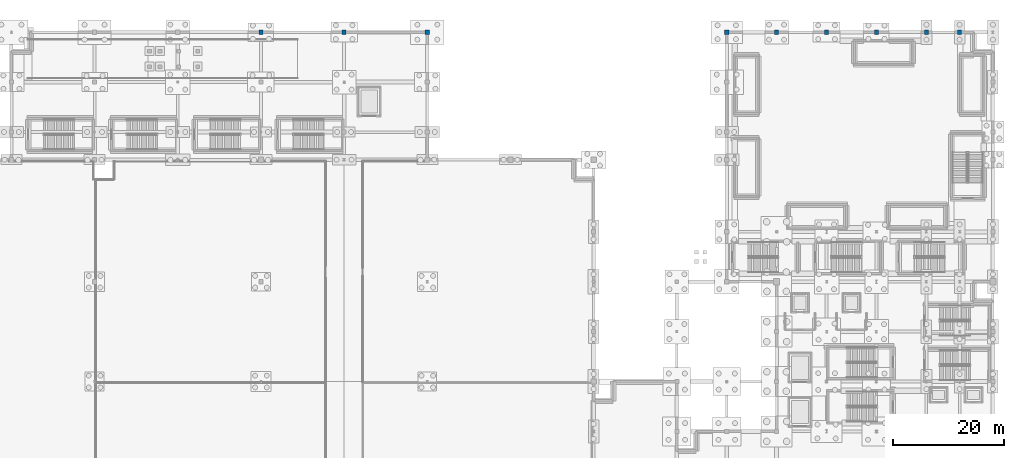
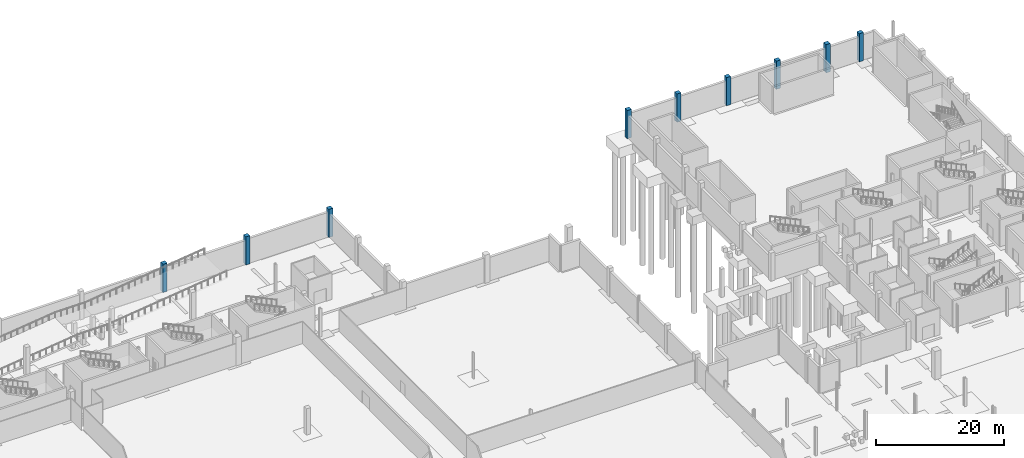
# One storey, part 35 of 58: 9 columns.
"""IFC4 building model written with IfcOpenShell, lengths in metres."""

import ifcopenshell
import ifcopenshell.guid

model = None  # the IFC model being written
_history = None  # IfcOwnerHistory: only IFC2X3 demands one
_inside = {}  # id of a spatial element -> (the spatial element, [elements in it])
_under = {}  # id of a project, library or spatial element -> (it, [spatial elements below it])
_declared = {}  # id of a project -> (the project, [libraries it declares])
_typed = {}  # id of a type object -> (the type object, [elements of that type])
_made_of = {}  # id of a material, layer set ... -> (it, [elements and type objects made of it])


def new_model(schema):
    """Start an empty IFC model of exactly this schema.

    Asked for "IFC4X3", IfcOpenShell would pick the latest addendum, in which some entities
    have other attributes; the version numbers below select the first issue.
    IFC2X3 requires an IfcOwnerHistory on every rooted entity: one is made here for all.
    """
    global model, _history
    if schema == "IFC4X3":
        model = ifcopenshell.file(schema_version=(4, 3, 0, 0))
    else:
        model = ifcopenshell.file(schema=schema)
    _inside.clear()
    _under.clear()
    _declared.clear()
    _typed.clear()
    _made_of.clear()
    _history = None
    if model.schema == "IFC2X3":
        org = make("IfcOrganization", Name="unknown")
        user = make(
            "IfcPersonAndOrganization",
            ThePerson=make("IfcPerson", FamilyName="unknown"),
            TheOrganization=org,
        )
        app = make(
            "IfcApplication",
            ApplicationDeveloper=org,
            Version="unknown",
            ApplicationFullName="unknown",
            ApplicationIdentifier="unknown",
        )
        _history = make(
            "IfcOwnerHistory",
            OwningUser=user,
            OwningApplication=app,
            ChangeAction="ADDED",
            CreationDate=0,
        )
    return model


def make(cls, **values):
    """One entity of the class cls with the attributes given. An attribute that is None is left unset."""
    return model.create_entity(
        cls, **{name: value for name, value in values.items() if value is not None}
    )


def rooted(cls, **values):
    """An entity with a GlobalId (a new one), such as an element, a storey or a relation."""
    return make(cls, GlobalId=ifcopenshell.guid.new(), OwnerHistory=_history, **values)


def si_unit(unit_type, name, prefix=None):
    """IfcSIUnit, for example si_unit("LENGTHUNIT", "METRE", prefix="MILLI")."""
    return make("IfcSIUnit", UnitType=unit_type, Prefix=prefix, Name=name)


def assignment(units):
    """IfcUnitAssignment: the units of a project."""
    return None if units is None else make("IfcUnitAssignment", Units=units)


def point(xyz):
    """IfcCartesianPoint."""
    return None if xyz is None else make("IfcCartesianPoint", Coordinates=xyz)


def direction(xyz):
    """IfcDirection."""
    return None if xyz is None else make("IfcDirection", DirectionRatios=xyz)


def frame(location, z_axis=None, x_axis=None):
    """IfcAxis2Placement3D, a coordinate frame: its origin and axes. An axis left out is left unset."""
    return make(
        "IfcAxis2Placement3D",
        Location=point(location),
        Axis=direction(z_axis),
        RefDirection=direction(x_axis),
    )


def frame_2d(location, x_axis=None):
    """IfcAxis2Placement2D, a coordinate frame in the plane: its origin and x axis."""
    return make(
        "IfcAxis2Placement2D", Location=point(location), RefDirection=direction(x_axis)
    )


def origin():
    """The frame at (0, 0, 0) with its axes left unset."""
    return frame((0.0, 0.0, 0.0))


def origin_2d():
    """The frame at (0, 0) in the plane with its x axis left unset."""
    return frame_2d((0.0, 0.0))


def place(relative_to, where):
    """IfcLocalPlacement: puts the frame where relative to a parent placement (None: the world)."""
    return make(
        "IfcLocalPlacement", PlacementRelTo=relative_to, RelativePlacement=where
    )


def context(
    kind, dimensions, precision=None, world=None, true_north=None, identifier=None
):
    """IfcGeometricRepresentationContext, for example the 3D "Model" context."""
    return make(
        "IfcGeometricRepresentationContext",
        ContextIdentifier=identifier,
        ContextType=kind,
        CoordinateSpaceDimension=dimensions,
        Precision=precision,
        WorldCoordinateSystem=world,
        TrueNorth=true_north,
    )


def subcontext(parent, identifier, kind, view, scale=None):
    """IfcGeometricRepresentationSubContext, for example "Body" below "Model"."""
    return make(
        "IfcGeometricRepresentationSubContext",
        ContextIdentifier=identifier,
        ContextType=kind,
        ParentContext=parent,
        TargetScale=scale,
        TargetView=view,
    )


def project(units=None, contexts=None):
    """IfcProject with its units and contexts."""
    return rooted(
        "IfcProject",
        Name="project",
        RepresentationContexts=contexts,
        UnitsInContext=assignment(units),
    )


def spatial(cls, under=None, at=None, **own):
    """A site, building, storey or space (cls), placed at a placement, below another one or the project."""
    s = rooted(cls, ObjectPlacement=at, **own)
    if under is not None:
        _under.setdefault(under.id(), (under, []))[1].append(s)
    return s


def profile(cls, at=None, kind="AREA", **sizes):
    """A parametric profile (cls). Its sizes go by their IFC names, for example OverallWidth=200.0."""
    return make(cls, ProfileType=kind, Position=at, **sizes)


def rectangle(**sizes):
    """IfcRectangleProfileDef."""
    return profile("IfcRectangleProfileDef", **sizes)


def extrude(swept, where, along, depth):
    """IfcExtrudedAreaSolid: the profile swept, set in the frame where, extruded along a direction by depth."""
    return make(
        "IfcExtrudedAreaSolid",
        SweptArea=swept,
        Position=where,
        ExtrudedDirection=direction(along),
        Depth=depth,
    )


def shape(context_of_items, identifier, shape_type, items):
    """IfcShapeRepresentation: the items that make up one representation, for example the "Body"."""
    return make(
        "IfcShapeRepresentation",
        ContextOfItems=context_of_items,
        RepresentationIdentifier=identifier,
        RepresentationType=shape_type,
        Items=items,
    )


def material(Name=None, Category=None):
    """IfcMaterial."""
    return make("IfcMaterial", Name=Name, Category=Category)


def material_profile(
    of_material, cross_section, Name=None, Category=None, Priority=None
):
    """IfcMaterialProfile: a cross section and its material."""
    return make(
        "IfcMaterialProfile",
        Name=Name,
        Material=of_material,
        Profile=cross_section,
        Priority=Priority,
        Category=Category,
    )


def profile_set(profiles, Name=None, composite=None):
    """IfcMaterialProfileSet."""
    return make(
        "IfcMaterialProfileSet",
        Name=Name,
        MaterialProfiles=profiles,
        CompositeProfile=composite,
    )


def made_of(thing, what):
    """Note that an element or type object is made of a material, layer set ...; save() writes the relation."""
    if what is not None:
        _made_of.setdefault(what.id(), (what, []))[1].append(thing)
    return thing


def type_object(cls, material=None, **own):
    """A type object (cls), such as IfcWallType, which elements share."""
    return made_of(rooted(cls, **own), material)


def element(
    cls,
    number,
    at=None,
    inside=None,
    cuts=None,
    type_object=None,
    material=None,
    context=None,
    identifier="Body",
    shape_type=None,
    held_by="IfcProductDefinitionShape",
    body=None,
    shapes=None,
    **own,
):
    """One element of the class cls, such as IfcWall. Its Tag is "e" and its number.

    at: its placement. inside: the storey or other place that contains it. cuts: it is an
    opening in that element (IfcRelVoidsElement). A single representation is given by context,
    identifier, shape_type and body (its items); several are given by shapes. held_by: the class
    of the entity that holds the representations. save() writes the other relations.
    """
    e = rooted(cls, Tag="e%d" % number, ObjectPlacement=at, **own)
    if body is not None:
        shapes = [shape(context, identifier, shape_type, body)]
    if shapes is not None:
        e.Representation = make(held_by, Representations=shapes)
    if inside is not None:
        _inside.setdefault(inside.id(), (inside, []))[1].append(e)
    if cuts is not None:
        rooted(
            "IfcRelVoidsElement", RelatingBuildingElement=cuts, RelatedOpeningElement=e
        )
    if type_object is not None:
        _typed.setdefault(type_object.id(), (type_object, []))[1].append(e)
    return made_of(e, material)


def aggregate(whole, parts):
    """IfcRelAggregates: a whole, such as a stair, and the parts it consists of."""
    return rooted("IfcRelAggregates", RelatingObject=whole, RelatedObjects=parts)


def save(model, path):
    """Write the relations noted so far, then the file.

    IfcRelAggregates (storeys below a building ...), IfcRelContainedInSpatialStructure (elements
    in a storey), IfcRelDefinesByType, IfcRelAssociatesMaterial and IfcRelDeclares: one each for
    every whole, place, type object, material and project.
    """
    for whole, parts in _under.values():
        aggregate(whole, parts)
    for where, things in _inside.values():
        rooted(
            "IfcRelContainedInSpatialStructure",
            RelatedElements=things,
            RelatingStructure=where,
        )
    for kind, things in _typed.values():
        rooted("IfcRelDefinesByType", RelatedObjects=things, RelatingType=kind)
    for what, things in _made_of.values():
        rooted("IfcRelAssociatesMaterial", RelatedObjects=things, RelatingMaterial=what)
    for by, libraries in _declared.values():
        rooted("IfcRelDeclares", RelatingContext=by, RelatedDefinitions=libraries)
    model.write(path)


model = new_model("IFC4")

# Units and contexts
model_context = context("Model", 3, precision=1e-05, world=origin(), true_north=direction((0.0, 1.0)))
body_context = subcontext(model_context, "Body", "Model", "MODEL_VIEW")
ifc_project = project(units=[si_unit("LENGTHUNIT", "METRE"), si_unit("AREAUNIT", "SQUARE_METRE"), si_unit("VOLUMEUNIT", "CUBIC_METRE"), si_unit("PLANEANGLEUNIT", "RADIAN"), si_unit("MASSUNIT", "GRAM", prefix="KILO")], contexts=[model_context])

# Site, building, storey
site_placement = place(None, origin())
site = spatial("IfcSite", under=ifc_project, at=site_placement, CompositionType="ELEMENT")
building_placement = place(site_placement, origin())
building = spatial("IfcBuilding", under=site, at=building_placement, Name="Qamarlyn Nura Convention Centre", CompositionType="ELEMENT")
storey_placement = place(building_placement, frame((0.0, 0.0, -5.39990234375)))
storey = spatial("IfcBuildingStorey", under=building, at=storey_placement, Name="B01", CompositionType="ELEMENT", Elevation=-5.39990234375)

# Columns
ifc_material = material(Name="Concrete C50/60", Category="concrete")
ifc_material_profile = material_profile(ifc_material, rectangle(XDim=0.75, YDim=0.75, at=origin_2d()), Name="RC 750x750")
ifc_profile_set = profile_set([ifc_material_profile], Name="Concrete C50/60")
column_type = type_object("IfcColumnType", Name="COL-SUB-2", PredefinedType="COLUMN", material=ifc_profile_set)
for number, where, z_axis, x_axis, name in (
    (1, (60.0, 126.0, 0.0), (0.0, 0.0, 1.0), (1.0, 0.0, 0.0), "B01 column 5/Q"),
    (2, (75.0, 126.0, 0.0), (0.0, 0.0, 1.0), (1.0, 0.0, 0.0), "B01 column 6/Q"),
    (3, (90.0, 126.0, 0.0), (0.0, 0.0, 1.0), (1.0, 0.0, 0.0), "B01 column 7/Q"),
    (4, (144.0, 126.0, 0.0), (0.0, 0.0, 1.0), (1.0, 0.0, 0.0), "B01 column 12/Q"),
    (5, (153.0, 126.0, 0.0), (0.0, 0.0, 1.0), (1.0, 0.0, 0.0), "B01 column 13/Q"),
    (6, (162.0, 126.0, 0.0), (0.0, 0.0, 1.0), (1.0, 0.0, 0.0), "B01 column 14/Q"),
    (7, (171.0, 126.0, 0.0), (0.0, 0.0, 1.0), (1.0, 0.0, 0.0), "B01 column 15/Q"),
    (8, (180.0, 126.0, 0.0), (0.0, 0.0, 1.0), (1.0, 0.0, 0.0), "B01 column 16/Q"),
    (9, (186.0, 126.0, 0.0), (0.0, 0.0, 1.0), (1.0, 0.0, 0.0), "B01 column 17/Q"),
):
    element("IfcColumn", number, at=place(storey_placement, frame(where, z_axis=z_axis, x_axis=x_axis)), inside=storey, type_object=column_type, Name=name, PredefinedType="COLUMN", context=body_context, shape_type="SweptSolid", body=[
        extrude(rectangle(XDim=0.75, YDim=0.75, at=origin_2d()), origin(), (0.0, 0.0, 1.0), 5.39990234375),
    ])

save(model, "model.ifc")
